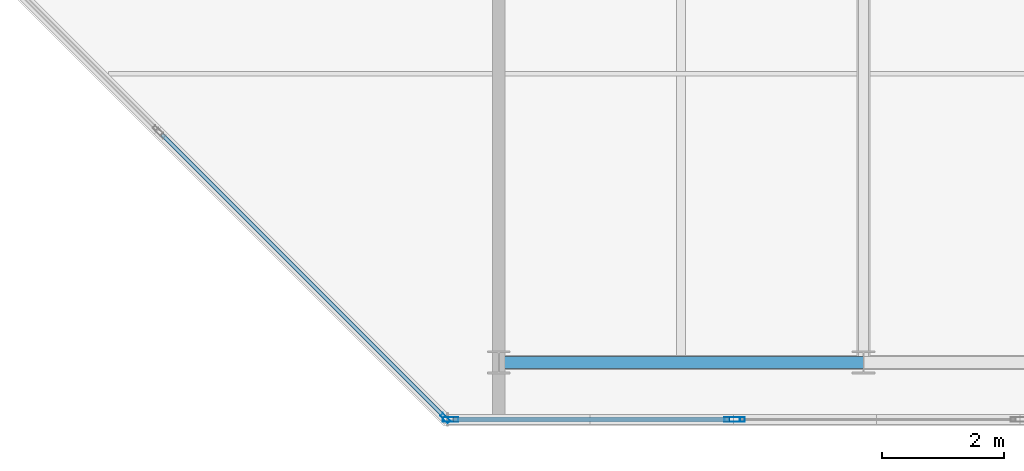
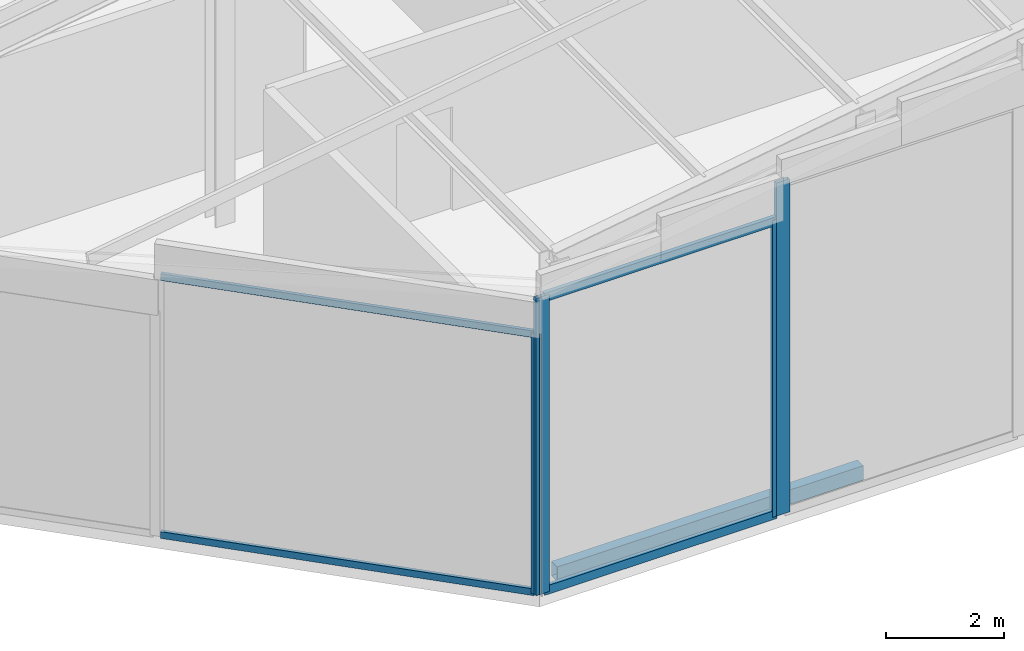
# One storey, part 3 of 30: 8 members, 1 beam, 3 elements without a shape of their own.
"""IFC4 building model written with IfcOpenShell, lengths in metres."""

import ifcopenshell
import ifcopenshell.guid

model = None  # the IFC model being written
_history = None  # IfcOwnerHistory: only IFC2X3 demands one
_inside = {}  # id of a spatial element -> (the spatial element, [elements in it])
_under = {}  # id of a project, library or spatial element -> (it, [spatial elements below it])
_declared = {}  # id of a project -> (the project, [libraries it declares])
_typed = {}  # id of a type object -> (the type object, [elements of that type])
_made_of = {}  # id of a material, layer set ... -> (it, [elements and type objects made of it])


def new_model(schema):
    """Start an empty IFC model of exactly this schema.

    Asked for "IFC4X3", IfcOpenShell would pick the latest addendum, in which some entities
    have other attributes; the version numbers below select the first issue.
    IFC2X3 requires an IfcOwnerHistory on every rooted entity: one is made here for all.
    """
    global model, _history
    if schema == "IFC4X3":
        model = ifcopenshell.file(schema_version=(4, 3, 0, 0))
    else:
        model = ifcopenshell.file(schema=schema)
    _inside.clear()
    _under.clear()
    _declared.clear()
    _typed.clear()
    _made_of.clear()
    _history = None
    if model.schema == "IFC2X3":
        org = make("IfcOrganization", Name="unknown")
        user = make(
            "IfcPersonAndOrganization",
            ThePerson=make("IfcPerson", FamilyName="unknown"),
            TheOrganization=org,
        )
        app = make(
            "IfcApplication",
            ApplicationDeveloper=org,
            Version="unknown",
            ApplicationFullName="unknown",
            ApplicationIdentifier="unknown",
        )
        _history = make(
            "IfcOwnerHistory",
            OwningUser=user,
            OwningApplication=app,
            ChangeAction="ADDED",
            CreationDate=0,
        )
    return model


def make(cls, **values):
    """One entity of the class cls with the attributes given. An attribute that is None is left unset."""
    return model.create_entity(
        cls, **{name: value for name, value in values.items() if value is not None}
    )


def rooted(cls, **values):
    """An entity with a GlobalId (a new one), such as an element, a storey or a relation."""
    return make(cls, GlobalId=ifcopenshell.guid.new(), OwnerHistory=_history, **values)


def si_unit(unit_type, name, prefix=None):
    """IfcSIUnit, for example si_unit("LENGTHUNIT", "METRE", prefix="MILLI")."""
    return make("IfcSIUnit", UnitType=unit_type, Prefix=prefix, Name=name)


def assignment(units):
    """IfcUnitAssignment: the units of a project."""
    return None if units is None else make("IfcUnitAssignment", Units=units)


def point(xyz):
    """IfcCartesianPoint."""
    return None if xyz is None else make("IfcCartesianPoint", Coordinates=xyz)


def direction(xyz):
    """IfcDirection."""
    return None if xyz is None else make("IfcDirection", DirectionRatios=xyz)


def frame(location, z_axis=None, x_axis=None):
    """IfcAxis2Placement3D, a coordinate frame: its origin and axes. An axis left out is left unset."""
    return make(
        "IfcAxis2Placement3D",
        Location=point(location),
        Axis=direction(z_axis),
        RefDirection=direction(x_axis),
    )


def frame_2d(location, x_axis=None):
    """IfcAxis2Placement2D, a coordinate frame in the plane: its origin and x axis."""
    return make(
        "IfcAxis2Placement2D", Location=point(location), RefDirection=direction(x_axis)
    )


def origin():
    """The frame at (0, 0, 0) with its axes left unset."""
    return frame((0.0, 0.0, 0.0))


def origin_2d():
    """The frame at (0, 0) in the plane with its x axis left unset."""
    return frame_2d((0.0, 0.0))


def place(relative_to, where):
    """IfcLocalPlacement: puts the frame where relative to a parent placement (None: the world)."""
    return make(
        "IfcLocalPlacement", PlacementRelTo=relative_to, RelativePlacement=where
    )


def context(
    kind, dimensions, precision=None, world=None, true_north=None, identifier=None
):
    """IfcGeometricRepresentationContext, for example the 3D "Model" context."""
    return make(
        "IfcGeometricRepresentationContext",
        ContextIdentifier=identifier,
        ContextType=kind,
        CoordinateSpaceDimension=dimensions,
        Precision=precision,
        WorldCoordinateSystem=world,
        TrueNorth=true_north,
    )


def subcontext(parent, identifier, kind, view, scale=None):
    """IfcGeometricRepresentationSubContext, for example "Body" below "Model"."""
    return make(
        "IfcGeometricRepresentationSubContext",
        ContextIdentifier=identifier,
        ContextType=kind,
        ParentContext=parent,
        TargetScale=scale,
        TargetView=view,
    )


def project(units=None, contexts=None):
    """IfcProject with its units and contexts."""
    return rooted(
        "IfcProject",
        Name="project",
        RepresentationContexts=contexts,
        UnitsInContext=assignment(units),
    )


def spatial(cls, under=None, at=None, **own):
    """A site, building, storey or space (cls), placed at a placement, below another one or the project."""
    s = rooted(cls, ObjectPlacement=at, **own)
    if under is not None:
        _under.setdefault(under.id(), (under, []))[1].append(s)
    return s


def profile(cls, at=None, kind="AREA", **sizes):
    """A parametric profile (cls). Its sizes go by their IFC names, for example OverallWidth=200.0."""
    return make(cls, ProfileType=kind, Position=at, **sizes)


def hollow_rectangle(**sizes):
    """IfcRectangleHollowProfileDef."""
    return profile("IfcRectangleHollowProfileDef", **sizes)


def extrude(swept, where, along, depth):
    """IfcExtrudedAreaSolid: the profile swept, set in the frame where, extruded along a direction by depth."""
    return make(
        "IfcExtrudedAreaSolid",
        SweptArea=swept,
        Position=where,
        ExtrudedDirection=direction(along),
        Depth=depth,
    )


def shape(context_of_items, identifier, shape_type, items):
    """IfcShapeRepresentation: the items that make up one representation, for example the "Body"."""
    return make(
        "IfcShapeRepresentation",
        ContextOfItems=context_of_items,
        RepresentationIdentifier=identifier,
        RepresentationType=shape_type,
        Items=items,
    )


def material(Name=None, Category=None):
    """IfcMaterial."""
    return make("IfcMaterial", Name=Name, Category=Category)


def layer(
    of_material, thickness, ventilated=None, Name=None, Category=None, Priority=None
):
    """IfcMaterialLayer: one layer of a wall or slab, of a material (None: an air gap)."""
    return make(
        "IfcMaterialLayer",
        Material=of_material,
        LayerThickness=thickness,
        IsVentilated=ventilated,
        Name=Name,
        Category=Category,
        Priority=Priority,
    )


def layer_set(layers, Name=None):
    """IfcMaterialLayerSet."""
    return make("IfcMaterialLayerSet", MaterialLayers=layers, LayerSetName=Name)


def material_profile(
    of_material, cross_section, Name=None, Category=None, Priority=None
):
    """IfcMaterialProfile: a cross section and its material."""
    return make(
        "IfcMaterialProfile",
        Name=Name,
        Material=of_material,
        Profile=cross_section,
        Priority=Priority,
        Category=Category,
    )


def profile_set(profiles, Name=None, composite=None):
    """IfcMaterialProfileSet."""
    return make(
        "IfcMaterialProfileSet",
        Name=Name,
        MaterialProfiles=profiles,
        CompositeProfile=composite,
    )


def made_of(thing, what):
    """Note that an element or type object is made of a material, layer set ...; save() writes the relation."""
    if what is not None:
        _made_of.setdefault(what.id(), (what, []))[1].append(thing)
    return thing


def type_object(cls, material=None, **own):
    """A type object (cls), such as IfcWallType, which elements share."""
    return made_of(rooted(cls, **own), material)


def element(
    cls,
    number,
    at=None,
    inside=None,
    cuts=None,
    type_object=None,
    material=None,
    context=None,
    identifier="Body",
    shape_type=None,
    held_by="IfcProductDefinitionShape",
    body=None,
    shapes=None,
    **own,
):
    """One element of the class cls, such as IfcWall. Its Tag is "e" and its number.

    at: its placement. inside: the storey or other place that contains it. cuts: it is an
    opening in that element (IfcRelVoidsElement). A single representation is given by context,
    identifier, shape_type and body (its items); several are given by shapes. held_by: the class
    of the entity that holds the representations. save() writes the other relations.
    """
    e = rooted(cls, Tag="e%d" % number, ObjectPlacement=at, **own)
    if body is not None:
        shapes = [shape(context, identifier, shape_type, body)]
    if shapes is not None:
        e.Representation = make(held_by, Representations=shapes)
    if inside is not None:
        _inside.setdefault(inside.id(), (inside, []))[1].append(e)
    if cuts is not None:
        rooted(
            "IfcRelVoidsElement", RelatingBuildingElement=cuts, RelatedOpeningElement=e
        )
    if type_object is not None:
        _typed.setdefault(type_object.id(), (type_object, []))[1].append(e)
    return made_of(e, material)


def aggregate(whole, parts):
    """IfcRelAggregates: a whole, such as a stair, and the parts it consists of."""
    return rooted("IfcRelAggregates", RelatingObject=whole, RelatedObjects=parts)


def save(model, path):
    """Write the relations noted so far, then the file.

    IfcRelAggregates (storeys below a building ...), IfcRelContainedInSpatialStructure (elements
    in a storey), IfcRelDefinesByType, IfcRelAssociatesMaterial and IfcRelDeclares: one each for
    every whole, place, type object, material and project.
    """
    for whole, parts in _under.values():
        aggregate(whole, parts)
    for where, things in _inside.values():
        rooted(
            "IfcRelContainedInSpatialStructure",
            RelatedElements=things,
            RelatingStructure=where,
        )
    for kind, things in _typed.values():
        rooted("IfcRelDefinesByType", RelatedObjects=things, RelatingType=kind)
    for what, things in _made_of.values():
        rooted("IfcRelAssociatesMaterial", RelatedObjects=things, RelatingMaterial=what)
    for by, libraries in _declared.values():
        rooted("IfcRelDeclares", RelatingContext=by, RelatedDefinitions=libraries)
    model.write(path)


model = new_model("IFC4")

# Units and contexts
model_context = context("Model", 3, precision=1e-05, world=origin(), true_north=direction((0.0, 1.0)))
body_context = subcontext(model_context, "Body", "Model", "MODEL_VIEW")
ifc_project = project(units=[si_unit("LENGTHUNIT", "METRE"), si_unit("AREAUNIT", "SQUARE_METRE"), si_unit("VOLUMEUNIT", "CUBIC_METRE"), si_unit("PLANEANGLEUNIT", "RADIAN"), si_unit("MASSUNIT", "GRAM", prefix="KILO")], contexts=[model_context])

# Site, building, storey
site_placement = place(None, origin())
site = spatial("IfcSite", under=ifc_project, at=site_placement, CompositionType="ELEMENT")
building_placement = place(site_placement, origin())
building = spatial("IfcBuilding", under=site, at=building_placement, Name="Tanjung Sevakor Pilgrim Tower", CompositionType="ELEMENT")
storey_placement = place(building_placement, frame((0.0, 0.0, 287.760009765625)))
storey = spatial("IfcBuildingStorey", under=building, at=storey_placement, Name="L80", CompositionType="ELEMENT", Elevation=287.760009765625)

# Beam
ifc_material_1 = material(Name="Steel S355J2", Category="steel")
ifc_material_profile_1 = material_profile(ifc_material_1, hollow_rectangle(XDim=0.199951171875, YDim=0.300048828125, WallThickness=0.012451171875, at=origin_2d()))
ifc_profile_set_1 = profile_set([ifc_material_profile_1], Name="Steel S355J2")
beam_type = type_object("IfcBeamType", Name="BM-B-SP3-RHS_300x200x12.5", PredefinedType="SPANDREL", material=ifc_profile_set_1)
beam_placement = place(storey_placement, frame((72.0, 13.25, -0.409912109375), z_axis=(1.0, 0.0, 0.0), x_axis=(0.0, 1.0, 0.0)))
element("IfcBeam", 1, at=beam_placement, inside=storey, type_object=beam_type, Name="L80 Spandrel EAST S-01", PredefinedType="SPANDREL", context=body_context, shape_type="SweptSolid", body=[
    extrude(hollow_rectangle(XDim=0.199951171875, YDim=0.300048828125, WallThickness=0.012451171875, at=origin_2d()), origin(), (0.0, 0.0, 1.0), 6.0),
])

# Curtain wall, member
ifc_material_2 = material(Name="Aluminium 6063-T6 and Low-E Glass", Category="aluminium")
ifc_layer_1 = layer(ifc_material_2, 0.179931640625)
ifc_layer_set_1 = layer_set([ifc_layer_1], Name="CW-SYS-CHAM")
curtain_wall_type_1 = type_object("IfcCurtainWallType", Name="CW-SYS-CHAM", PredefinedType="NOTDEFINED", material=ifc_layer_set_1)
curtain_wall_1_placement = place(storey_placement, origin())
curtain_wall_1 = element("IfcCurtainWall", 2, at=curtain_wall_1_placement, inside=storey, type_object=curtain_wall_type_1, Name="L80 Curtain Wall CW-CHM-L80-EAST-7B4", PredefinedType="NOTDEFINED")
ifc_material_3 = material(Name="Aluminium 6063-T6", Category="aluminium")
ifc_material_profile_2 = material_profile(ifc_material_3, hollow_rectangle(XDim=0.06494140625, YDim=0.179931640625, WallThickness=0.00390625, at=origin_2d()))
ifc_profile_set_2 = profile_set([ifc_material_profile_2], Name="Aluminium 6063-T6")
member_type_1 = type_object("IfcMemberType", Name="TYPE-CWM-1", PredefinedType="MULLION", material=ifc_profile_set_2)
member_1_placement = place(storey_placement, frame((71.12255859375, 12.3330078125, 0.0), z_axis=(0.0, 0.0, 1.0), x_axis=(0.707106781187, 0.707106781187, 0.0)))
member_1 = element("IfcMember", 3, at=member_1_placement, type_object=member_type_1, Name="CW-CHM mullion 2", PredefinedType="MULLION", context=body_context, shape_type="SweptSolid", body=[
    extrude(hollow_rectangle(XDim=0.06494140625, YDim=0.179931640625, WallThickness=0.00390625, at=origin_2d()), origin(), (0.0, 0.0, 1.0), 5.408447265625),
])

# Curtain wall, members
ifc_material_4 = material(Name="Aluminium 6063-T6 and Low-E Glass", Category="aluminium")
ifc_layer_2 = layer(ifc_material_4, 0.219970703125)
ifc_layer_set_2 = layer_set([ifc_layer_2], Name="CW-SYS-CRNE")
curtain_wall_type_2 = type_object("IfcCurtainWallType", Name="CW-SYS-CRNE", PredefinedType="NOTDEFINED", material=ifc_layer_set_2)
curtain_wall_2_placement = place(storey_placement, origin())
curtain_wall_2 = element("IfcCurtainWall", 4, at=curtain_wall_2_placement, inside=storey, type_object=curtain_wall_type_2, Name="L80 Curtain Wall CW-CRN-L80-EAST-0-1B1", PredefinedType="NOTDEFINED")
ifc_material_5 = material(Name="Aluminium 6063-T6", Category="aluminium")
ifc_material_profile_3 = material_profile(ifc_material_5, hollow_rectangle(XDim=0.080078125, YDim=0.260009765625, WallThickness=0.0048828125, at=origin_2d()))
ifc_profile_set_3 = profile_set([ifc_material_profile_3], Name="Aluminium 6063-T6")
member_type_2 = type_object("IfcMemberType", Name="TYPE-CWM-3", PredefinedType="MULLION", material=ifc_profile_set_3)
member_2_placement = place(storey_placement, frame((71.20556640625, 12.31005859375, 0.0), z_axis=(0.0, 0.0, 1.0), x_axis=(0.0, 1.0, 0.0)))
member_2 = element("IfcMember", 5, at=member_2_placement, type_object=member_type_2, Name="CW-CRE mullion 1", PredefinedType="MULLION", context=body_context, shape_type="SweptSolid", body=[
    extrude(hollow_rectangle(XDim=0.080078125, YDim=0.260009765625, WallThickness=0.0048828125, at=origin_2d()), origin(), (0.0, 0.0, 1.0), 6.1552734375),
])
member_3_placement = place(storey_placement, frame((75.83935546875, 12.31005859375, 0.0), z_axis=(0.0, 0.0, 1.0), x_axis=(0.0, 1.0, 0.0)))
member_3 = element("IfcMember", 6, at=member_3_placement, type_object=member_type_2, Name="CW-CRE mullion 2", PredefinedType="MULLION", context=body_context, shape_type="SweptSolid", body=[
    extrude(hollow_rectangle(XDim=0.080078125, YDim=0.260009765625, WallThickness=0.0048828125, at=origin_2d()), origin(), (0.0, 0.0, 1.0), 6.1552734375),
])

# Curtain wall, member
curtain_wall_3_placement = place(storey_placement, origin())
curtain_wall_3 = element("IfcCurtainWall", 7, at=curtain_wall_3_placement, inside=storey, type_object=curtain_wall_type_2, Name="L80 Curtain Wall CW-CRN-L80-EAST-0-1B2", PredefinedType="NOTDEFINED")
member_4_placement = place(storey_placement, frame((75.91943359375, 12.31005859375, 0.0), z_axis=(0.0, 0.0, 1.0), x_axis=(0.0, 1.0, 0.0)))
member_4 = element("IfcMember", 8, at=member_4_placement, type_object=member_type_2, Name="CW-CRE mullion 1", PredefinedType="MULLION", context=body_context, shape_type="SweptSolid", body=[
    extrude(hollow_rectangle(XDim=0.080078125, YDim=0.260009765625, WallThickness=0.0048828125, at=origin_2d()), origin(), (0.0, 0.0, 1.0), 6.89599609375),
])
aggregate(curtain_wall_3, [member_4])

# Member
ifc_material_6 = material(Name="Aluminium 6063-T6", Category="aluminium")
ifc_material_profile_4 = material_profile(ifc_material_6, hollow_rectangle(XDim=0.06494140625, YDim=0.139892578125, WallThickness=0.00390625, at=origin_2d()))
ifc_profile_set_4 = profile_set([ifc_material_profile_4], Name="Aluminium 6063-T6")
member_type_3 = type_object("IfcMemberType", Name="TYPE-CWT-1", PredefinedType="USERDEFINED", material=ifc_profile_set_4)
member_5_placement = place(storey_placement, frame((66.457763671875, 16.998046875, 0.032470703125), z_axis=(0.707088186081, -0.707125375803, 0.0), x_axis=(0.707125375803, 0.707088186081, 0.0)))
member_5 = element("IfcMember", 9, at=member_5_placement, type_object=member_type_3, Name="CW-CHM transom 1.1", ObjectType="TRANSOM", PredefinedType="USERDEFINED", context=body_context, shape_type="SweptSolid", body=[
    extrude(hollow_rectangle(XDim=0.06494140625, YDim=0.139892578125, WallThickness=0.00390625, at=origin_2d()), origin(), (0.0, 0.0, 1.0), 6.564697265625),
])

member_6_placement = place(storey_placement, frame((66.457763671875, 16.998046875, 5.3759765625), z_axis=(0.707088186081, -0.707125375803, 0.0), x_axis=(0.707125375803, 0.707088186081, 0.0)))
member_6 = element("IfcMember", 10, at=member_6_placement, type_object=member_type_3, Name="CW-CHM transom 1.2", ObjectType="TRANSOM", PredefinedType="USERDEFINED", context=body_context, shape_type="SweptSolid", body=[
    extrude(hollow_rectangle(XDim=0.06494140625, YDim=0.139892578125, WallThickness=0.00390625, at=origin_2d()), origin(), (0.0, 0.0, 1.0), 6.564697265625),
])

aggregate(curtain_wall_1, [member_1, member_5, member_6])

ifc_material_7 = material(Name="Aluminium 6063-T6", Category="aluminium")
ifc_material_profile_5 = material_profile(ifc_material_7, hollow_rectangle(XDim=0.080078125, YDim=0.179931640625, WallThickness=0.0048828125, at=origin_2d()))
ifc_profile_set_5 = profile_set([ifc_material_profile_5], Name="Aluminium 6063-T6")
member_type_4 = type_object("IfcMemberType", Name="TYPE-CWT-3", PredefinedType="USERDEFINED", material=ifc_profile_set_5)
member_7_placement = place(storey_placement, frame((71.24560546875, 12.31005859375, 0.0400390625), z_axis=(1.0, 0.0, 0.0), x_axis=(0.0, 1.0, 0.0)))
member_7 = element("IfcMember", 11, at=member_7_placement, type_object=member_type_4, Name="CW-CRE transom 1.1", ObjectType="TRANSOM", PredefinedType="USERDEFINED", context=body_context, shape_type="SweptSolid", body=[
    extrude(hollow_rectangle(XDim=0.080078125, YDim=0.179931640625, WallThickness=0.0048828125, at=origin_2d()), origin(), (0.0, 0.0, 1.0), 4.5537109375),
])

member_8_placement = place(storey_placement, frame((71.24560546875, 12.31005859375, 6.115478515625), z_axis=(1.0, 0.0, 0.0), x_axis=(0.0, 1.0, 0.0)))
member_8 = element("IfcMember", 12, at=member_8_placement, type_object=member_type_4, Name="CW-CRE transom 1.2", ObjectType="TRANSOM", PredefinedType="USERDEFINED", context=body_context, shape_type="SweptSolid", body=[
    extrude(hollow_rectangle(XDim=0.080078125, YDim=0.179931640625, WallThickness=0.0048828125, at=origin_2d()), origin(), (0.0, 0.0, 1.0), 4.5537109375),
])

aggregate(curtain_wall_2, [member_2, member_3, member_7, member_8])

save(model, "model.ifc")
